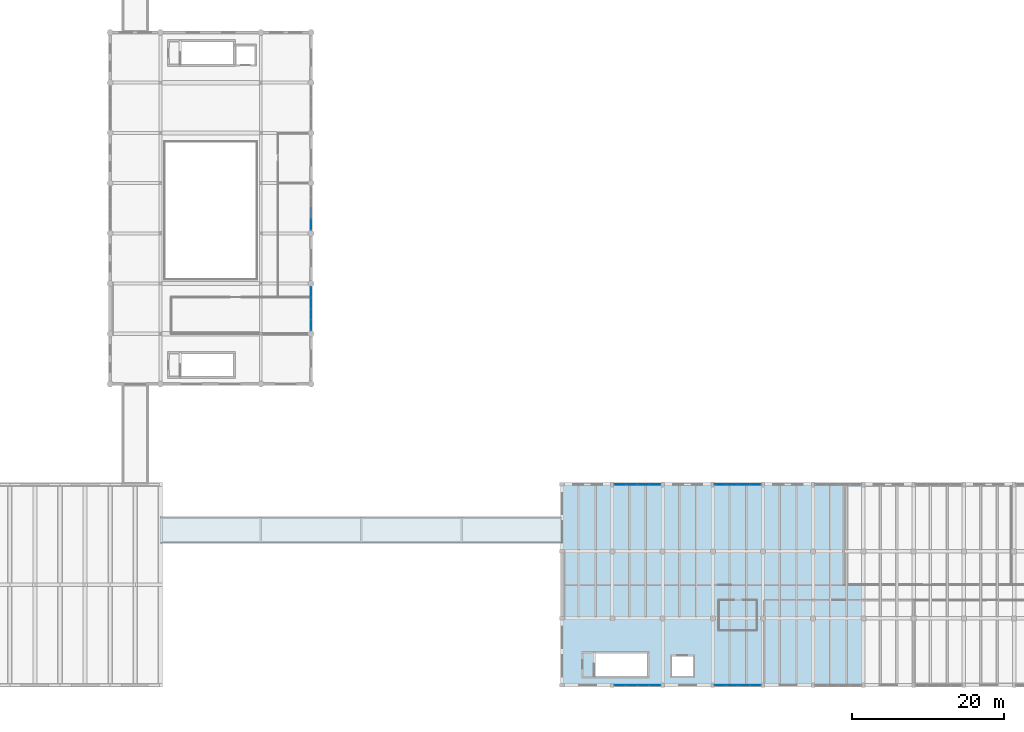
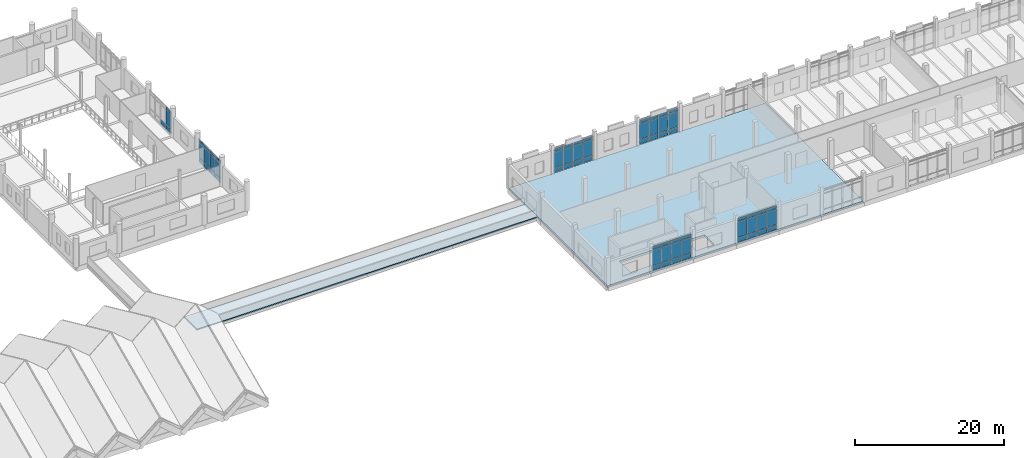
# One storey, part 34 of 76: 64 plates, 2 slabs, 6 elements without a shape of their own.
"""IFC4 building model written with IfcOpenShell, lengths in metres."""

from ifc_helpers import new_model, si_unit, direction, frame, origin, origin_2d, place, context, subcontext, project, spatial, polyline, rectangle, outline, extrude, material, layer, layer_set, type_object, element, aggregate, save


model = new_model("IFC4")

# Units and contexts
model_context = context("Model", 3, precision=1e-05, world=origin(), true_north=direction((0.0, 1.0)))
body_context = subcontext(model_context, "Body", "Model", "MODEL_VIEW")
ifc_project = project(units=[si_unit("LENGTHUNIT", "METRE"), si_unit("AREAUNIT", "SQUARE_METRE"), si_unit("VOLUMEUNIT", "CUBIC_METRE"), si_unit("PLANEANGLEUNIT", "RADIAN"), si_unit("MASSUNIT", "GRAM", prefix="KILO")], contexts=[model_context])

# Site, building, storey
site_placement = place(None, origin())
site = spatial("IfcSite", under=ifc_project, at=site_placement, CompositionType="ELEMENT")
building_placement = place(site_placement, origin())
building = spatial("IfcBuilding", under=site, at=building_placement, Name="Dornvale Research Institute", CompositionType="ELEMENT")
storey_placement = place(building_placement, frame((0.0, 0.0, 15.0)))
storey = spatial("IfcBuildingStorey", under=building, at=storey_placement, Name="L03", CompositionType="ELEMENT", Elevation=15.0)

# Curtain wall, plates
ifc_material_1 = material(Name="Low-E Argon Double Insulating Glazing Unit", Category="glass")
curtain_wall_type_1 = type_object("IfcCurtainWallType", Name="UnitisedCurtainWall_V2_5810x3820", PredefinedType="USERDEFINED", material=ifc_material_1)
curtain_wall_1_placement = place(storey_placement, origin())
curtain_wall_1 = element("IfcCurtainWall", 1, at=curtain_wall_1_placement, inside=storey, type_object=curtain_wall_type_1, Name="L03 V2 unitised curtain wall CW-03 #18", ObjectType="UNITISED CURTAIN WALL", PredefinedType="USERDEFINED")
ifc_material_2 = material(Name="Insulated Ceramic-Frit Spandrel Glass Panel", Category="glass")
ifc_layer_1 = layer(ifc_material_2, 0.0419921875)
ifc_layer_set_1 = layer_set([ifc_layer_1], Name="Insulated Ceramic-Frit Spandrel Glass Panel")
plate_type_1 = type_object("IfcPlateType", Name="CurtainPanel_Spandrel_42", PredefinedType="CURTAIN_PANEL", material=ifc_layer_set_1)
plate_1_placement = place(storey_placement, frame((66.0, 61.9736328125, 0.06494140625), z_axis=(0.0, 0.0, 1.0), x_axis=(0.0, -1.0, 0.0)))
plate_1 = element("IfcPlate", 2, at=plate_1_placement, type_object=plate_type_1, Name="CW-03 panel 3.1", PredefinedType="CURTAIN_PANEL", context=body_context, shape_type="SweptSolid", body=[
    extrude(rectangle(XDim=1.387451171875, YDim=0.0419921875, at=origin_2d()), origin(), (0.0, 0.0, 1.0), 0.75244140625),
])
plate_2_placement = place(storey_placement, frame((66.0, 60.53759765625, 0.06494140625), z_axis=(0.0, 0.0, 1.0), x_axis=(0.0, -1.0, 0.0)))
plate_2 = element("IfcPlate", 3, at=plate_2_placement, type_object=plate_type_1, Name="CW-03 panel 4.1", PredefinedType="CURTAIN_PANEL", context=body_context, shape_type="SweptSolid", body=[
    extrude(rectangle(XDim=1.35498046875, YDim=0.0419921875, at=origin_2d()), origin(), (0.0, 0.0, 1.0), 0.75244140625),
])

curtain_wall_2_placement = place(storey_placement, origin())
curtain_wall_2 = element("IfcCurtainWall", 4, at=curtain_wall_2_placement, inside=storey, type_object=curtain_wall_type_1, Name="L03 V2 unitised curtain wall CW-03 #19", ObjectType="UNITISED CURTAIN WALL", PredefinedType="USERDEFINED")
plate_3_placement = place(storey_placement, frame((66.0, 51.66259765625, 0.06494140625), z_axis=(0.0, 0.0, 1.0), x_axis=(0.0, -1.0, 0.0)))
plate_3 = element("IfcPlate", 5, at=plate_3_placement, type_object=plate_type_1, Name="CW-03 panel 1.1", PredefinedType="CURTAIN_PANEL", context=body_context, shape_type="SweptSolid", body=[
    extrude(rectangle(XDim=1.35498046875, YDim=0.0419921875, at=origin_2d()), origin(), (0.0, 0.0, 1.0), 0.75244140625),
])
plate_4_placement = place(storey_placement, frame((66.0, 50.226318359375, 0.06494140625), z_axis=(0.0, 0.0, 1.0), x_axis=(0.0, -1.0, 0.0)))
plate_4 = element("IfcPlate", 6, at=plate_4_placement, type_object=plate_type_1, Name="CW-03 panel 2.1", PredefinedType="CURTAIN_PANEL", context=body_context, shape_type="SweptSolid", body=[
    extrude(rectangle(XDim=1.387451171875, YDim=0.0419921875, at=origin_2d()), origin(), (0.0, 0.0, 1.0), 0.75244140625),
])
plate_5_placement = place(storey_placement, frame((66.0, 48.773681640625, 0.06494140625), z_axis=(0.0, 0.0, 1.0), x_axis=(0.0, -1.0, 0.0)))
plate_5 = element("IfcPlate", 7, at=plate_5_placement, type_object=plate_type_1, Name="CW-03 panel 3.1", PredefinedType="CURTAIN_PANEL", context=body_context, shape_type="SweptSolid", body=[
    extrude(rectangle(XDim=1.387451171875, YDim=0.0419921875, at=origin_2d()), origin(), (0.0, 0.0, 1.0), 0.75244140625),
])
plate_6_placement = place(storey_placement, frame((66.0, 47.33740234375, 0.06494140625), z_axis=(0.0, 0.0, 1.0), x_axis=(0.0, -1.0, 0.0)))
plate_6 = element("IfcPlate", 8, at=plate_6_placement, type_object=plate_type_1, Name="CW-03 panel 4.1", PredefinedType="CURTAIN_PANEL", context=body_context, shape_type="SweptSolid", body=[
    extrude(rectangle(XDim=1.35498046875, YDim=0.0419921875, at=origin_2d()), origin(), (0.0, 0.0, 1.0), 0.75244140625),
])

ifc_material_3 = material(Name="Low-E Argon Double Insulating Glazing Unit", Category="glass")
curtain_wall_type_2 = type_object("IfcCurtainWallType", Name="UnitisedCurtainWall_V3_6150x4000", PredefinedType="USERDEFINED", material=ifc_material_3)
curtain_wall_3_placement = place(storey_placement, origin())
curtain_wall_3 = element("IfcCurtainWall", 9, at=curtain_wall_3_placement, inside=storey, type_object=curtain_wall_type_2, Name="L03 V3 unitised curtain wall CW-06 #54", ObjectType="UNITISED CURTAIN WALL", PredefinedType="USERDEFINED")
plate_7_placement = place(storey_placement, frame((106.610107421875, 26.39990234375, 0.06494140625), z_axis=(0.0, 0.0, 1.0), x_axis=(1.0, 0.0, 0.0)))
plate_7 = element("IfcPlate", 10, at=plate_7_placement, type_object=plate_type_1, Name="CW-06 panel 1.1", PredefinedType="CURTAIN_PANEL", context=body_context, shape_type="SweptSolid", body=[
    extrude(rectangle(XDim=1.43994140625, YDim=0.0419921875, at=origin_2d()), origin(), (0.0, 0.0, 1.0), 0.75244140625),
])
plate_8_placement = place(storey_placement, frame((108.13134765625, 26.39990234375, 0.06494140625), z_axis=(0.0, 0.0, 1.0), x_axis=(1.0, 0.0, 0.0)))
plate_8 = element("IfcPlate", 11, at=plate_8_placement, type_object=plate_type_1, Name="CW-06 panel 2.1", PredefinedType="CURTAIN_PANEL", context=body_context, shape_type="SweptSolid", body=[
    extrude(rectangle(XDim=1.472412109375, YDim=0.0419921875, at=origin_2d()), origin(), (0.0, 0.0, 1.0), 0.75244140625),
])
plate_9_placement = place(storey_placement, frame((109.668701171875, 26.39990234375, 0.06494140625), z_axis=(0.0, 0.0, 1.0), x_axis=(1.0, 0.0, 0.0)))
plate_9 = element("IfcPlate", 12, at=plate_9_placement, type_object=plate_type_1, Name="CW-06 panel 3.1", PredefinedType="CURTAIN_PANEL", context=body_context, shape_type="SweptSolid", body=[
    extrude(rectangle(XDim=1.472412109375, YDim=0.0419921875, at=origin_2d()), origin(), (0.0, 0.0, 1.0), 0.75244140625),
])
plate_10_placement = place(storey_placement, frame((111.18994140625, 26.39990234375, 0.06494140625), z_axis=(0.0, 0.0, 1.0), x_axis=(1.0, 0.0, 0.0)))
plate_10 = element("IfcPlate", 13, at=plate_10_placement, type_object=plate_type_1, Name="CW-06 panel 4.1", PredefinedType="CURTAIN_PANEL", context=body_context, shape_type="SweptSolid", body=[
    extrude(rectangle(XDim=1.43994140625, YDim=0.0419921875, at=origin_2d()), origin(), (0.0, 0.0, 1.0), 0.75244140625),
])

curtain_wall_4_placement = place(storey_placement, origin())
curtain_wall_4 = element("IfcCurtainWall", 14, at=curtain_wall_4_placement, inside=storey, type_object=curtain_wall_type_2, Name="L03 V3 unitised curtain wall CW-06 #55", ObjectType="UNITISED CURTAIN WALL", PredefinedType="USERDEFINED")
plate_11_placement = place(storey_placement, frame((119.81005859375, 26.39990234375, 0.06494140625), z_axis=(0.0, 0.0, 1.0), x_axis=(1.0, 0.0, 0.0)))
plate_11 = element("IfcPlate", 15, at=plate_11_placement, type_object=plate_type_1, Name="CW-06 panel 1.1", PredefinedType="CURTAIN_PANEL", context=body_context, shape_type="SweptSolid", body=[
    extrude(rectangle(XDim=1.43994140625, YDim=0.0419921875, at=origin_2d()), origin(), (0.0, 0.0, 1.0), 0.75244140625),
])
plate_12_placement = place(storey_placement, frame((121.331298828125, 26.39990234375, 0.06494140625), z_axis=(0.0, 0.0, 1.0), x_axis=(1.0, 0.0, 0.0)))
plate_12 = element("IfcPlate", 16, at=plate_12_placement, type_object=plate_type_1, Name="CW-06 panel 2.1", PredefinedType="CURTAIN_PANEL", context=body_context, shape_type="SweptSolid", body=[
    extrude(rectangle(XDim=1.472412109375, YDim=0.0419921875, at=origin_2d()), origin(), (0.0, 0.0, 1.0), 0.75244140625),
])
plate_13_placement = place(storey_placement, frame((122.86865234375, 26.39990234375, 0.06494140625), z_axis=(0.0, 0.0, 1.0), x_axis=(1.0, 0.0, 0.0)))
plate_13 = element("IfcPlate", 17, at=plate_13_placement, type_object=plate_type_1, Name="CW-06 panel 3.1", PredefinedType="CURTAIN_PANEL", context=body_context, shape_type="SweptSolid", body=[
    extrude(rectangle(XDim=1.472412109375, YDim=0.0419921875, at=origin_2d()), origin(), (0.0, 0.0, 1.0), 0.75244140625),
])
plate_14_placement = place(storey_placement, frame((124.389892578125, 26.39990234375, 0.06494140625), z_axis=(0.0, 0.0, 1.0), x_axis=(1.0, 0.0, 0.0)))
plate_14 = element("IfcPlate", 18, at=plate_14_placement, type_object=plate_type_1, Name="CW-06 panel 4.1", PredefinedType="CURTAIN_PANEL", context=body_context, shape_type="SweptSolid", body=[
    extrude(rectangle(XDim=1.43994140625, YDim=0.0419921875, at=origin_2d()), origin(), (0.0, 0.0, 1.0), 0.75244140625),
])

curtain_wall_5_placement = place(storey_placement, origin())
curtain_wall_5 = element("IfcCurtainWall", 19, at=curtain_wall_5_placement, inside=storey, type_object=curtain_wall_type_2, Name="L03 V3 unitised curtain wall CW-06 #64", ObjectType="UNITISED CURTAIN WALL", PredefinedType="USERDEFINED")
plate_15_placement = place(storey_placement, frame((124.389892578125, 0.0, 0.06494140625), z_axis=(0.0, 0.0, 1.0), x_axis=(-1.0, 0.0, 0.0)))
plate_15 = element("IfcPlate", 20, at=plate_15_placement, type_object=plate_type_1, Name="CW-06 panel 1.1", PredefinedType="CURTAIN_PANEL", context=body_context, shape_type="SweptSolid", body=[
    extrude(rectangle(XDim=1.43994140625, YDim=0.0419921875, at=origin_2d()), origin(), (0.0, 0.0, 1.0), 0.75244140625),
])
plate_16_placement = place(storey_placement, frame((122.86865234375, 0.0, 0.06494140625), z_axis=(0.0, 0.0, 1.0), x_axis=(-1.0, 0.0, 0.0)))
plate_16 = element("IfcPlate", 21, at=plate_16_placement, type_object=plate_type_1, Name="CW-06 panel 2.1", PredefinedType="CURTAIN_PANEL", context=body_context, shape_type="SweptSolid", body=[
    extrude(rectangle(XDim=1.472412109375, YDim=0.0419921875, at=origin_2d()), origin(), (0.0, 0.0, 1.0), 0.75244140625),
])
plate_17_placement = place(storey_placement, frame((121.331298828125, 0.0, 0.06494140625), z_axis=(0.0, 0.0, 1.0), x_axis=(-1.0, 0.0, 0.0)))
plate_17 = element("IfcPlate", 22, at=plate_17_placement, type_object=plate_type_1, Name="CW-06 panel 3.1", PredefinedType="CURTAIN_PANEL", context=body_context, shape_type="SweptSolid", body=[
    extrude(rectangle(XDim=1.472412109375, YDim=0.0419921875, at=origin_2d()), origin(), (0.0, 0.0, 1.0), 0.75244140625),
])
plate_18_placement = place(storey_placement, frame((119.81005859375, 0.0, 0.06494140625), z_axis=(0.0, 0.0, 1.0), x_axis=(-1.0, 0.0, 0.0)))
plate_18 = element("IfcPlate", 23, at=plate_18_placement, type_object=plate_type_1, Name="CW-06 panel 4.1", PredefinedType="CURTAIN_PANEL", context=body_context, shape_type="SweptSolid", body=[
    extrude(rectangle(XDim=1.43994140625, YDim=0.0419921875, at=origin_2d()), origin(), (0.0, 0.0, 1.0), 0.75244140625),
])

curtain_wall_6_placement = place(storey_placement, origin())
curtain_wall_6 = element("IfcCurtainWall", 24, at=curtain_wall_6_placement, inside=storey, type_object=curtain_wall_type_2, Name="L03 V3 unitised curtain wall CW-06 #65", ObjectType="UNITISED CURTAIN WALL", PredefinedType="USERDEFINED")
plate_19_placement = place(storey_placement, frame((111.18994140625, 0.0, 0.06494140625), z_axis=(0.0, 0.0, 1.0), x_axis=(-1.0, 0.0, 0.0)))
plate_19 = element("IfcPlate", 25, at=plate_19_placement, type_object=plate_type_1, Name="CW-06 panel 1.1", PredefinedType="CURTAIN_PANEL", context=body_context, shape_type="SweptSolid", body=[
    extrude(rectangle(XDim=1.43994140625, YDim=0.0419921875, at=origin_2d()), origin(), (0.0, 0.0, 1.0), 0.75244140625),
])
plate_20_placement = place(storey_placement, frame((109.668701171875, 0.0, 0.06494140625), z_axis=(0.0, 0.0, 1.0), x_axis=(-1.0, 0.0, 0.0)))
plate_20 = element("IfcPlate", 26, at=plate_20_placement, type_object=plate_type_1, Name="CW-06 panel 2.1", PredefinedType="CURTAIN_PANEL", context=body_context, shape_type="SweptSolid", body=[
    extrude(rectangle(XDim=1.472412109375, YDim=0.0419921875, at=origin_2d()), origin(), (0.0, 0.0, 1.0), 0.75244140625),
])
plate_21_placement = place(storey_placement, frame((108.13134765625, 0.0, 0.06494140625), z_axis=(0.0, 0.0, 1.0), x_axis=(-1.0, 0.0, 0.0)))
plate_21 = element("IfcPlate", 27, at=plate_21_placement, type_object=plate_type_1, Name="CW-06 panel 3.1", PredefinedType="CURTAIN_PANEL", context=body_context, shape_type="SweptSolid", body=[
    extrude(rectangle(XDim=1.472412109375, YDim=0.0419921875, at=origin_2d()), origin(), (0.0, 0.0, 1.0), 0.75244140625),
])
plate_22_placement = place(storey_placement, frame((106.610107421875, 0.0, 0.06494140625), z_axis=(0.0, 0.0, 1.0), x_axis=(-1.0, 0.0, 0.0)))
plate_22 = element("IfcPlate", 28, at=plate_22_placement, type_object=plate_type_1, Name="CW-06 panel 4.1", PredefinedType="CURTAIN_PANEL", context=body_context, shape_type="SweptSolid", body=[
    extrude(rectangle(XDim=1.43994140625, YDim=0.0419921875, at=origin_2d()), origin(), (0.0, 0.0, 1.0), 0.75244140625),
])

# Plate
ifc_material_4 = material(Name="Low-E Argon Double Insulating Glazing Unit", Category="glass")
ifc_layer_2 = layer(ifc_material_4, 0.028076171875)
ifc_layer_set_2 = layer_set([ifc_layer_2], Name="Low-E Argon Double Insulating Glazing Unit")
plate_type_2 = type_object("IfcPlateType", Name="CurtainPanel_Vision_28", PredefinedType="CURTAIN_PANEL", material=ifc_layer_set_2)
plate_23_placement = place(storey_placement, frame((66.0, 60.53759765625, 0.882568359375), z_axis=(0.0, 0.0, 1.0), x_axis=(0.0, -1.0, 0.0)))
plate_23 = element("IfcPlate", 29, at=plate_23_placement, type_object=plate_type_2, Name="CW-03 panel 4.2", PredefinedType="CURTAIN_PANEL", context=body_context, shape_type="SweptSolid", body=[
    extrude(rectangle(XDim=1.35498046875, YDim=0.028076171875, at=origin_2d()), origin(), (0.0, 0.0, 1.0), 2.35498046875),
])

plate_24_placement = place(storey_placement, frame((66.0, 60.53759765625, 3.302734375), z_axis=(0.0, 0.0, 1.0), x_axis=(0.0, -1.0, 0.0)))
plate_24 = element("IfcPlate", 30, at=plate_24_placement, type_object=plate_type_2, Name="CW-03 panel 4.3", PredefinedType="CURTAIN_PANEL", context=body_context, shape_type="SweptSolid", body=[
    extrude(rectangle(XDim=1.35498046875, YDim=0.028076171875, at=origin_2d()), origin(), (0.0, 0.0, 1.0), 0.452392578125),
])

aggregate(curtain_wall_1, [plate_1, plate_2, plate_23, plate_24])

plate_25_placement = place(storey_placement, frame((66.0, 51.66259765625, 0.882568359375), z_axis=(0.0, 0.0, 1.0), x_axis=(0.0, -1.0, 0.0)))
plate_25 = element("IfcPlate", 31, at=plate_25_placement, type_object=plate_type_2, Name="CW-03 panel 1.2", PredefinedType="CURTAIN_PANEL", context=body_context, shape_type="SweptSolid", body=[
    extrude(rectangle(XDim=1.35498046875, YDim=0.028076171875, at=origin_2d()), origin(), (0.0, 0.0, 1.0), 2.35498046875),
])

plate_26_placement = place(storey_placement, frame((66.0, 51.66259765625, 3.302734375), z_axis=(0.0, 0.0, 1.0), x_axis=(0.0, -1.0, 0.0)))
plate_26 = element("IfcPlate", 32, at=plate_26_placement, type_object=plate_type_2, Name="CW-03 panel 1.3", PredefinedType="CURTAIN_PANEL", context=body_context, shape_type="SweptSolid", body=[
    extrude(rectangle(XDim=1.35498046875, YDim=0.028076171875, at=origin_2d()), origin(), (0.0, 0.0, 1.0), 0.452392578125),
])

plate_27_placement = place(storey_placement, frame((66.0, 50.226318359375, 0.882568359375), z_axis=(0.0, 0.0, 1.0), x_axis=(0.0, -1.0, 0.0)))
plate_27 = element("IfcPlate", 33, at=plate_27_placement, type_object=plate_type_2, Name="CW-03 panel 2.2", PredefinedType="CURTAIN_PANEL", context=body_context, shape_type="SweptSolid", body=[
    extrude(rectangle(XDim=1.387451171875, YDim=0.028076171875, at=origin_2d()), origin(), (0.0, 0.0, 1.0), 2.35498046875),
])

plate_28_placement = place(storey_placement, frame((66.0, 50.226318359375, 3.302734375), z_axis=(0.0, 0.0, 1.0), x_axis=(0.0, -1.0, 0.0)))
plate_28 = element("IfcPlate", 34, at=plate_28_placement, type_object=plate_type_2, Name="CW-03 panel 2.3", PredefinedType="CURTAIN_PANEL", context=body_context, shape_type="SweptSolid", body=[
    extrude(rectangle(XDim=1.387451171875, YDim=0.028076171875, at=origin_2d()), origin(), (0.0, 0.0, 1.0), 0.452392578125),
])

plate_29_placement = place(storey_placement, frame((66.0, 48.773681640625, 0.882568359375), z_axis=(0.0, 0.0, 1.0), x_axis=(0.0, -1.0, 0.0)))
plate_29 = element("IfcPlate", 35, at=plate_29_placement, type_object=plate_type_2, Name="CW-03 panel 3.2", PredefinedType="CURTAIN_PANEL", context=body_context, shape_type="SweptSolid", body=[
    extrude(rectangle(XDim=1.387451171875, YDim=0.028076171875, at=origin_2d()), origin(), (0.0, 0.0, 1.0), 2.35498046875),
])

plate_30_placement = place(storey_placement, frame((66.0, 48.773681640625, 3.302734375), z_axis=(0.0, 0.0, 1.0), x_axis=(0.0, -1.0, 0.0)))
plate_30 = element("IfcPlate", 36, at=plate_30_placement, type_object=plate_type_2, Name="CW-03 panel 3.3", PredefinedType="CURTAIN_PANEL", context=body_context, shape_type="SweptSolid", body=[
    extrude(rectangle(XDim=1.387451171875, YDim=0.028076171875, at=origin_2d()), origin(), (0.0, 0.0, 1.0), 0.452392578125),
])

plate_31_placement = place(storey_placement, frame((66.0, 47.33740234375, 0.882568359375), z_axis=(0.0, 0.0, 1.0), x_axis=(0.0, -1.0, 0.0)))
plate_31 = element("IfcPlate", 37, at=plate_31_placement, type_object=plate_type_2, Name="CW-03 panel 4.2", PredefinedType="CURTAIN_PANEL", context=body_context, shape_type="SweptSolid", body=[
    extrude(rectangle(XDim=1.35498046875, YDim=0.028076171875, at=origin_2d()), origin(), (0.0, 0.0, 1.0), 2.35498046875),
])

plate_32_placement = place(storey_placement, frame((66.0, 47.33740234375, 3.302734375), z_axis=(0.0, 0.0, 1.0), x_axis=(0.0, -1.0, 0.0)))
plate_32 = element("IfcPlate", 38, at=plate_32_placement, type_object=plate_type_2, Name="CW-03 panel 4.3", PredefinedType="CURTAIN_PANEL", context=body_context, shape_type="SweptSolid", body=[
    extrude(rectangle(XDim=1.35498046875, YDim=0.028076171875, at=origin_2d()), origin(), (0.0, 0.0, 1.0), 0.452392578125),
])

aggregate(curtain_wall_2, [plate_3, plate_25, plate_26, plate_4, plate_27, plate_28, plate_5, plate_29, plate_30, plate_6, plate_31, plate_32])

plate_33_placement = place(storey_placement, frame((106.610107421875, 26.39990234375, 0.88232421875), z_axis=(0.0, 0.0, 1.0), x_axis=(1.0, 0.0, 0.0)))
plate_33 = element("IfcPlate", 39, at=plate_33_placement, type_object=plate_type_2, Name="CW-06 panel 1.2", PredefinedType="CURTAIN_PANEL", context=body_context, shape_type="SweptSolid", body=[
    extrude(rectangle(XDim=1.43994140625, YDim=0.028076171875, at=origin_2d()), origin(), (0.0, 0.0, 1.0), 2.534912109375),
])

plate_34_placement = place(storey_placement, frame((106.610107421875, 26.39990234375, 3.482421875), z_axis=(0.0, 0.0, 1.0), x_axis=(1.0, 0.0, 0.0)))
plate_34 = element("IfcPlate", 40, at=plate_34_placement, type_object=plate_type_2, Name="CW-06 panel 1.3", PredefinedType="CURTAIN_PANEL", context=body_context, shape_type="SweptSolid", body=[
    extrude(rectangle(XDim=1.43994140625, YDim=0.028076171875, at=origin_2d()), origin(), (0.0, 0.0, 1.0), 0.452392578125),
])

plate_35_placement = place(storey_placement, frame((108.13134765625, 26.39990234375, 0.88232421875), z_axis=(0.0, 0.0, 1.0), x_axis=(1.0, 0.0, 0.0)))
plate_35 = element("IfcPlate", 41, at=plate_35_placement, type_object=plate_type_2, Name="CW-06 panel 2.2", PredefinedType="CURTAIN_PANEL", context=body_context, shape_type="SweptSolid", body=[
    extrude(rectangle(XDim=1.472412109375, YDim=0.028076171875, at=origin_2d()), origin(), (0.0, 0.0, 1.0), 2.534912109375),
])

plate_36_placement = place(storey_placement, frame((108.13134765625, 26.39990234375, 3.482421875), z_axis=(0.0, 0.0, 1.0), x_axis=(1.0, 0.0, 0.0)))
plate_36 = element("IfcPlate", 42, at=plate_36_placement, type_object=plate_type_2, Name="CW-06 panel 2.3", PredefinedType="CURTAIN_PANEL", context=body_context, shape_type="SweptSolid", body=[
    extrude(rectangle(XDim=1.472412109375, YDim=0.028076171875, at=origin_2d()), origin(), (0.0, 0.0, 1.0), 0.452392578125),
])

plate_37_placement = place(storey_placement, frame((109.668701171875, 26.39990234375, 0.88232421875), z_axis=(0.0, 0.0, 1.0), x_axis=(1.0, 0.0, 0.0)))
plate_37 = element("IfcPlate", 43, at=plate_37_placement, type_object=plate_type_2, Name="CW-06 panel 3.2", PredefinedType="CURTAIN_PANEL", context=body_context, shape_type="SweptSolid", body=[
    extrude(rectangle(XDim=1.472412109375, YDim=0.028076171875, at=origin_2d()), origin(), (0.0, 0.0, 1.0), 2.534912109375),
])

plate_38_placement = place(storey_placement, frame((109.668701171875, 26.39990234375, 3.482421875), z_axis=(0.0, 0.0, 1.0), x_axis=(1.0, 0.0, 0.0)))
plate_38 = element("IfcPlate", 44, at=plate_38_placement, type_object=plate_type_2, Name="CW-06 panel 3.3", PredefinedType="CURTAIN_PANEL", context=body_context, shape_type="SweptSolid", body=[
    extrude(rectangle(XDim=1.472412109375, YDim=0.028076171875, at=origin_2d()), origin(), (0.0, 0.0, 1.0), 0.452392578125),
])

plate_39_placement = place(storey_placement, frame((111.18994140625, 26.39990234375, 0.88232421875), z_axis=(0.0, 0.0, 1.0), x_axis=(1.0, 0.0, 0.0)))
plate_39 = element("IfcPlate", 45, at=plate_39_placement, type_object=plate_type_2, Name="CW-06 panel 4.2", PredefinedType="CURTAIN_PANEL", context=body_context, shape_type="SweptSolid", body=[
    extrude(rectangle(XDim=1.43994140625, YDim=0.028076171875, at=origin_2d()), origin(), (0.0, 0.0, 1.0), 2.534912109375),
])

plate_40_placement = place(storey_placement, frame((111.18994140625, 26.39990234375, 3.482421875), z_axis=(0.0, 0.0, 1.0), x_axis=(1.0, 0.0, 0.0)))
plate_40 = element("IfcPlate", 46, at=plate_40_placement, type_object=plate_type_2, Name="CW-06 panel 4.3", PredefinedType="CURTAIN_PANEL", context=body_context, shape_type="SweptSolid", body=[
    extrude(rectangle(XDim=1.43994140625, YDim=0.028076171875, at=origin_2d()), origin(), (0.0, 0.0, 1.0), 0.452392578125),
])

aggregate(curtain_wall_3, [plate_7, plate_33, plate_34, plate_8, plate_35, plate_36, plate_9, plate_37, plate_38, plate_10, plate_39, plate_40])

plate_41_placement = place(storey_placement, frame((119.81005859375, 26.39990234375, 0.88232421875), z_axis=(0.0, 0.0, 1.0), x_axis=(1.0, 0.0, 0.0)))
plate_41 = element("IfcPlate", 47, at=plate_41_placement, type_object=plate_type_2, Name="CW-06 panel 1.2", PredefinedType="CURTAIN_PANEL", context=body_context, shape_type="SweptSolid", body=[
    extrude(rectangle(XDim=1.43994140625, YDim=0.028076171875, at=origin_2d()), origin(), (0.0, 0.0, 1.0), 2.534912109375),
])

plate_42_placement = place(storey_placement, frame((119.81005859375, 26.39990234375, 3.482421875), z_axis=(0.0, 0.0, 1.0), x_axis=(1.0, 0.0, 0.0)))
plate_42 = element("IfcPlate", 48, at=plate_42_placement, type_object=plate_type_2, Name="CW-06 panel 1.3", PredefinedType="CURTAIN_PANEL", context=body_context, shape_type="SweptSolid", body=[
    extrude(rectangle(XDim=1.43994140625, YDim=0.028076171875, at=origin_2d()), origin(), (0.0, 0.0, 1.0), 0.452392578125),
])

plate_43_placement = place(storey_placement, frame((121.331298828125, 26.39990234375, 0.88232421875), z_axis=(0.0, 0.0, 1.0), x_axis=(1.0, 0.0, 0.0)))
plate_43 = element("IfcPlate", 49, at=plate_43_placement, type_object=plate_type_2, Name="CW-06 panel 2.2", PredefinedType="CURTAIN_PANEL", context=body_context, shape_type="SweptSolid", body=[
    extrude(rectangle(XDim=1.472412109375, YDim=0.028076171875, at=origin_2d()), origin(), (0.0, 0.0, 1.0), 2.534912109375),
])

plate_44_placement = place(storey_placement, frame((121.331298828125, 26.39990234375, 3.482421875), z_axis=(0.0, 0.0, 1.0), x_axis=(1.0, 0.0, 0.0)))
plate_44 = element("IfcPlate", 50, at=plate_44_placement, type_object=plate_type_2, Name="CW-06 panel 2.3", PredefinedType="CURTAIN_PANEL", context=body_context, shape_type="SweptSolid", body=[
    extrude(rectangle(XDim=1.472412109375, YDim=0.028076171875, at=origin_2d()), origin(), (0.0, 0.0, 1.0), 0.452392578125),
])

plate_45_placement = place(storey_placement, frame((122.86865234375, 26.39990234375, 0.88232421875), z_axis=(0.0, 0.0, 1.0), x_axis=(1.0, 0.0, 0.0)))
plate_45 = element("IfcPlate", 51, at=plate_45_placement, type_object=plate_type_2, Name="CW-06 panel 3.2", PredefinedType="CURTAIN_PANEL", context=body_context, shape_type="SweptSolid", body=[
    extrude(rectangle(XDim=1.472412109375, YDim=0.028076171875, at=origin_2d()), origin(), (0.0, 0.0, 1.0), 2.534912109375),
])

plate_46_placement = place(storey_placement, frame((122.86865234375, 26.39990234375, 3.482421875), z_axis=(0.0, 0.0, 1.0), x_axis=(1.0, 0.0, 0.0)))
plate_46 = element("IfcPlate", 52, at=plate_46_placement, type_object=plate_type_2, Name="CW-06 panel 3.3", PredefinedType="CURTAIN_PANEL", context=body_context, shape_type="SweptSolid", body=[
    extrude(rectangle(XDim=1.472412109375, YDim=0.028076171875, at=origin_2d()), origin(), (0.0, 0.0, 1.0), 0.452392578125),
])

plate_47_placement = place(storey_placement, frame((124.389892578125, 26.39990234375, 0.88232421875), z_axis=(0.0, 0.0, 1.0), x_axis=(1.0, 0.0, 0.0)))
plate_47 = element("IfcPlate", 53, at=plate_47_placement, type_object=plate_type_2, Name="CW-06 panel 4.2", PredefinedType="CURTAIN_PANEL", context=body_context, shape_type="SweptSolid", body=[
    extrude(rectangle(XDim=1.43994140625, YDim=0.028076171875, at=origin_2d()), origin(), (0.0, 0.0, 1.0), 2.534912109375),
])

plate_48_placement = place(storey_placement, frame((124.389892578125, 26.39990234375, 3.482421875), z_axis=(0.0, 0.0, 1.0), x_axis=(1.0, 0.0, 0.0)))
plate_48 = element("IfcPlate", 54, at=plate_48_placement, type_object=plate_type_2, Name="CW-06 panel 4.3", PredefinedType="CURTAIN_PANEL", context=body_context, shape_type="SweptSolid", body=[
    extrude(rectangle(XDim=1.43994140625, YDim=0.028076171875, at=origin_2d()), origin(), (0.0, 0.0, 1.0), 0.452392578125),
])

aggregate(curtain_wall_4, [plate_11, plate_41, plate_42, plate_12, plate_43, plate_44, plate_13, plate_45, plate_46, plate_14, plate_47, plate_48])

plate_49_placement = place(storey_placement, frame((124.389892578125, 0.0, 0.88232421875), z_axis=(0.0, 0.0, 1.0), x_axis=(-1.0, 0.0, 0.0)))
plate_49 = element("IfcPlate", 55, at=plate_49_placement, type_object=plate_type_2, Name="CW-06 panel 1.2", PredefinedType="CURTAIN_PANEL", context=body_context, shape_type="SweptSolid", body=[
    extrude(rectangle(XDim=1.43994140625, YDim=0.028076171875, at=origin_2d()), origin(), (0.0, 0.0, 1.0), 2.534912109375),
])

plate_50_placement = place(storey_placement, frame((124.389892578125, 0.0, 3.482421875), z_axis=(0.0, 0.0, 1.0), x_axis=(-1.0, 0.0, 0.0)))
plate_50 = element("IfcPlate", 56, at=plate_50_placement, type_object=plate_type_2, Name="CW-06 panel 1.3", PredefinedType="CURTAIN_PANEL", context=body_context, shape_type="SweptSolid", body=[
    extrude(rectangle(XDim=1.43994140625, YDim=0.028076171875, at=origin_2d()), origin(), (0.0, 0.0, 1.0), 0.452392578125),
])

plate_51_placement = place(storey_placement, frame((122.86865234375, 0.0, 0.88232421875), z_axis=(0.0, 0.0, 1.0), x_axis=(-1.0, 0.0, 0.0)))
plate_51 = element("IfcPlate", 57, at=plate_51_placement, type_object=plate_type_2, Name="CW-06 panel 2.2", PredefinedType="CURTAIN_PANEL", context=body_context, shape_type="SweptSolid", body=[
    extrude(rectangle(XDim=1.472412109375, YDim=0.028076171875, at=origin_2d()), origin(), (0.0, 0.0, 1.0), 2.534912109375),
])

plate_52_placement = place(storey_placement, frame((122.86865234375, 0.0, 3.482421875), z_axis=(0.0, 0.0, 1.0), x_axis=(-1.0, 0.0, 0.0)))
plate_52 = element("IfcPlate", 58, at=plate_52_placement, type_object=plate_type_2, Name="CW-06 panel 2.3", PredefinedType="CURTAIN_PANEL", context=body_context, shape_type="SweptSolid", body=[
    extrude(rectangle(XDim=1.472412109375, YDim=0.028076171875, at=origin_2d()), origin(), (0.0, 0.0, 1.0), 0.452392578125),
])

plate_53_placement = place(storey_placement, frame((121.331298828125, 0.0, 0.88232421875), z_axis=(0.0, 0.0, 1.0), x_axis=(-1.0, 0.0, 0.0)))
plate_53 = element("IfcPlate", 59, at=plate_53_placement, type_object=plate_type_2, Name="CW-06 panel 3.2", PredefinedType="CURTAIN_PANEL", context=body_context, shape_type="SweptSolid", body=[
    extrude(rectangle(XDim=1.472412109375, YDim=0.028076171875, at=origin_2d()), origin(), (0.0, 0.0, 1.0), 2.534912109375),
])

plate_54_placement = place(storey_placement, frame((121.331298828125, 0.0, 3.482421875), z_axis=(0.0, 0.0, 1.0), x_axis=(-1.0, 0.0, 0.0)))
plate_54 = element("IfcPlate", 60, at=plate_54_placement, type_object=plate_type_2, Name="CW-06 panel 3.3", PredefinedType="CURTAIN_PANEL", context=body_context, shape_type="SweptSolid", body=[
    extrude(rectangle(XDim=1.472412109375, YDim=0.028076171875, at=origin_2d()), origin(), (0.0, 0.0, 1.0), 0.452392578125),
])

plate_55_placement = place(storey_placement, frame((119.81005859375, 0.0, 0.88232421875), z_axis=(0.0, 0.0, 1.0), x_axis=(-1.0, 0.0, 0.0)))
plate_55 = element("IfcPlate", 61, at=plate_55_placement, type_object=plate_type_2, Name="CW-06 panel 4.2", PredefinedType="CURTAIN_PANEL", context=body_context, shape_type="SweptSolid", body=[
    extrude(rectangle(XDim=1.43994140625, YDim=0.028076171875, at=origin_2d()), origin(), (0.0, 0.0, 1.0), 2.534912109375),
])

plate_56_placement = place(storey_placement, frame((119.81005859375, 0.0, 3.482421875), z_axis=(0.0, 0.0, 1.0), x_axis=(-1.0, 0.0, 0.0)))
plate_56 = element("IfcPlate", 62, at=plate_56_placement, type_object=plate_type_2, Name="CW-06 panel 4.3", PredefinedType="CURTAIN_PANEL", context=body_context, shape_type="SweptSolid", body=[
    extrude(rectangle(XDim=1.43994140625, YDim=0.028076171875, at=origin_2d()), origin(), (0.0, 0.0, 1.0), 0.452392578125),
])

aggregate(curtain_wall_5, [plate_15, plate_49, plate_50, plate_16, plate_51, plate_52, plate_17, plate_53, plate_54, plate_18, plate_55, plate_56])

plate_57_placement = place(storey_placement, frame((111.18994140625, 0.0, 0.88232421875), z_axis=(0.0, 0.0, 1.0), x_axis=(-1.0, 0.0, 0.0)))
plate_57 = element("IfcPlate", 63, at=plate_57_placement, type_object=plate_type_2, Name="CW-06 panel 1.2", PredefinedType="CURTAIN_PANEL", context=body_context, shape_type="SweptSolid", body=[
    extrude(rectangle(XDim=1.43994140625, YDim=0.028076171875, at=origin_2d()), origin(), (0.0, 0.0, 1.0), 2.534912109375),
])

plate_58_placement = place(storey_placement, frame((111.18994140625, 0.0, 3.482421875), z_axis=(0.0, 0.0, 1.0), x_axis=(-1.0, 0.0, 0.0)))
plate_58 = element("IfcPlate", 64, at=plate_58_placement, type_object=plate_type_2, Name="CW-06 panel 1.3", PredefinedType="CURTAIN_PANEL", context=body_context, shape_type="SweptSolid", body=[
    extrude(rectangle(XDim=1.43994140625, YDim=0.028076171875, at=origin_2d()), origin(), (0.0, 0.0, 1.0), 0.452392578125),
])

plate_59_placement = place(storey_placement, frame((109.668701171875, 0.0, 0.88232421875), z_axis=(0.0, 0.0, 1.0), x_axis=(-1.0, 0.0, 0.0)))
plate_59 = element("IfcPlate", 65, at=plate_59_placement, type_object=plate_type_2, Name="CW-06 panel 2.2", PredefinedType="CURTAIN_PANEL", context=body_context, shape_type="SweptSolid", body=[
    extrude(rectangle(XDim=1.472412109375, YDim=0.028076171875, at=origin_2d()), origin(), (0.0, 0.0, 1.0), 2.534912109375),
])

plate_60_placement = place(storey_placement, frame((109.668701171875, 0.0, 3.482421875), z_axis=(0.0, 0.0, 1.0), x_axis=(-1.0, 0.0, 0.0)))
plate_60 = element("IfcPlate", 66, at=plate_60_placement, type_object=plate_type_2, Name="CW-06 panel 2.3", PredefinedType="CURTAIN_PANEL", context=body_context, shape_type="SweptSolid", body=[
    extrude(rectangle(XDim=1.472412109375, YDim=0.028076171875, at=origin_2d()), origin(), (0.0, 0.0, 1.0), 0.452392578125),
])

plate_61_placement = place(storey_placement, frame((108.13134765625, 0.0, 0.88232421875), z_axis=(0.0, 0.0, 1.0), x_axis=(-1.0, 0.0, 0.0)))
plate_61 = element("IfcPlate", 67, at=plate_61_placement, type_object=plate_type_2, Name="CW-06 panel 3.2", PredefinedType="CURTAIN_PANEL", context=body_context, shape_type="SweptSolid", body=[
    extrude(rectangle(XDim=1.472412109375, YDim=0.028076171875, at=origin_2d()), origin(), (0.0, 0.0, 1.0), 2.534912109375),
])

plate_62_placement = place(storey_placement, frame((108.13134765625, 0.0, 3.482421875), z_axis=(0.0, 0.0, 1.0), x_axis=(-1.0, 0.0, 0.0)))
plate_62 = element("IfcPlate", 68, at=plate_62_placement, type_object=plate_type_2, Name="CW-06 panel 3.3", PredefinedType="CURTAIN_PANEL", context=body_context, shape_type="SweptSolid", body=[
    extrude(rectangle(XDim=1.472412109375, YDim=0.028076171875, at=origin_2d()), origin(), (0.0, 0.0, 1.0), 0.452392578125),
])

plate_63_placement = place(storey_placement, frame((106.610107421875, 0.0, 0.88232421875), z_axis=(0.0, 0.0, 1.0), x_axis=(-1.0, 0.0, 0.0)))
plate_63 = element("IfcPlate", 69, at=plate_63_placement, type_object=plate_type_2, Name="CW-06 panel 4.2", PredefinedType="CURTAIN_PANEL", context=body_context, shape_type="SweptSolid", body=[
    extrude(rectangle(XDim=1.43994140625, YDim=0.028076171875, at=origin_2d()), origin(), (0.0, 0.0, 1.0), 2.534912109375),
])

plate_64_placement = place(storey_placement, frame((106.610107421875, 0.0, 3.482421875), z_axis=(0.0, 0.0, 1.0), x_axis=(-1.0, 0.0, 0.0)))
plate_64 = element("IfcPlate", 70, at=plate_64_placement, type_object=plate_type_2, Name="CW-06 panel 4.3", PredefinedType="CURTAIN_PANEL", context=body_context, shape_type="SweptSolid", body=[
    extrude(rectangle(XDim=1.43994140625, YDim=0.028076171875, at=origin_2d()), origin(), (0.0, 0.0, 1.0), 0.452392578125),
])

aggregate(curtain_wall_6, [plate_19, plate_57, plate_58, plate_20, plate_59, plate_60, plate_21, plate_61, plate_62, plate_22, plate_63, plate_64])

# Slabs
ifc_material_5 = material(Name="Concrete f'c 45 MPa (C35/45)", Category="concrete")
ifc_layer_3 = layer(ifc_material_5, 0.360107421875)
ifc_layer_set_3 = layer_set([ifc_layer_3], Name="Concrete f'c 45 MPa (C35/45)")
slab_type_1 = type_object("IfcSlabType", Name="FloorSlab_Cleanroom_360", PredefinedType="FLOOR", material=ifc_layer_set_3)
slab_1_placement = place(storey_placement, frame((0.0, 0.0, -0.360107421875)))
element("IfcSlab", 71, at=slab_1_placement, inside=storey, type_object=slab_type_1, Name="L03 V3 W floor slab", PredefinedType="FLOOR", context=body_context, shape_type="SweptSolid", body=[
    extrude(outline(polyline([(99.0, 0.0), (99.0, 26.39990234375), (138.60009765625, 26.39990234375), (138.60009765625, 0.0), (99.0, 0.0)]), holes=[polyline([(103.219970703125, 1.199951171875), (110.199951171875, 1.199951171875), (110.199951171875, 4.199951171875), (103.219970703125, 4.199951171875), (103.219970703125, 1.199951171875)]), polyline([(113.39990234375, 1.199951171875), (116.199951171875, 1.199951171875), (116.199951171875, 3.800048828125), (113.39990234375, 3.800048828125), (113.39990234375, 1.199951171875)])]), origin(), (0.0, 0.0, 1.0), 0.360107421875),
])
ifc_material_6 = material(Name="Concrete f'c 45 MPa (C35/45)", Category="concrete")
ifc_layer_4 = layer(ifc_material_6, 0.179931640625)
ifc_layer_set_4 = layer_set([ifc_layer_4], Name="Concrete f'c 45 MPa (C35/45)")
slab_type_2 = type_object("IfcSlabType", Name="RoofSlab_Bridge_180", PredefinedType="ROOF", material=ifc_layer_set_4)
slab_2_placement = place(storey_placement, frame((0.0, 0.0, -0.179931640625)))
element("IfcSlab", 72, at=slab_2_placement, inside=storey, type_object=slab_type_2, Name="L03 link bridge roof BR-6", PredefinedType="ROOF", context=body_context, shape_type="SweptSolid", body=[
    extrude(outline(polyline([(46.219970703125, 22.10009765625), (98.97998046875, 22.10009765625), (98.97998046875, 18.699951171875), (46.219970703125, 18.699951171875), (46.219970703125, 22.10009765625)])), origin(), (0.0, 0.0, 1.0), 0.179931640625),
])

save(model, "model.ifc")
